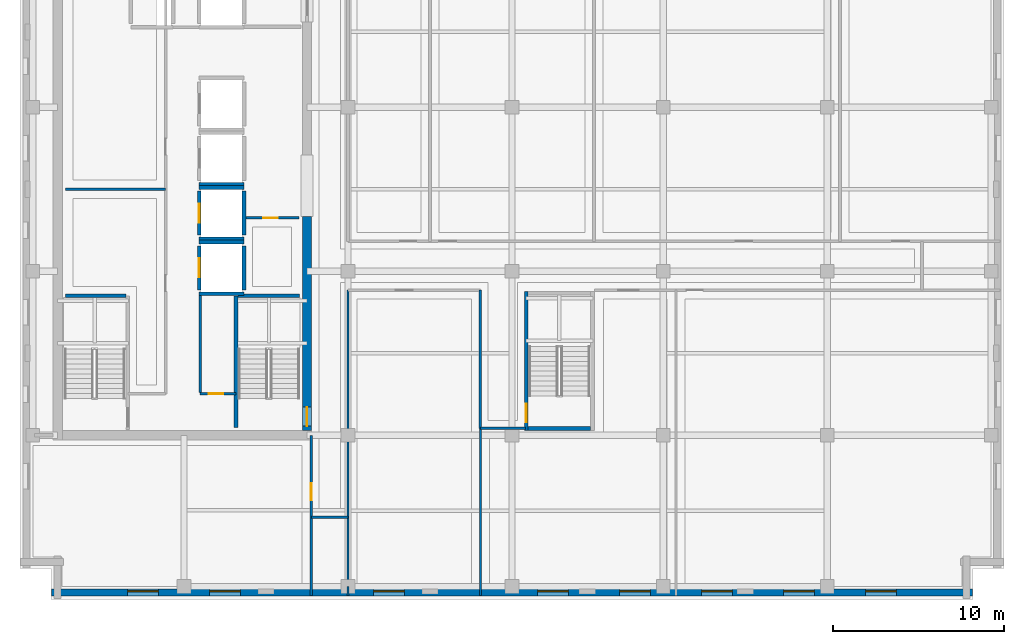
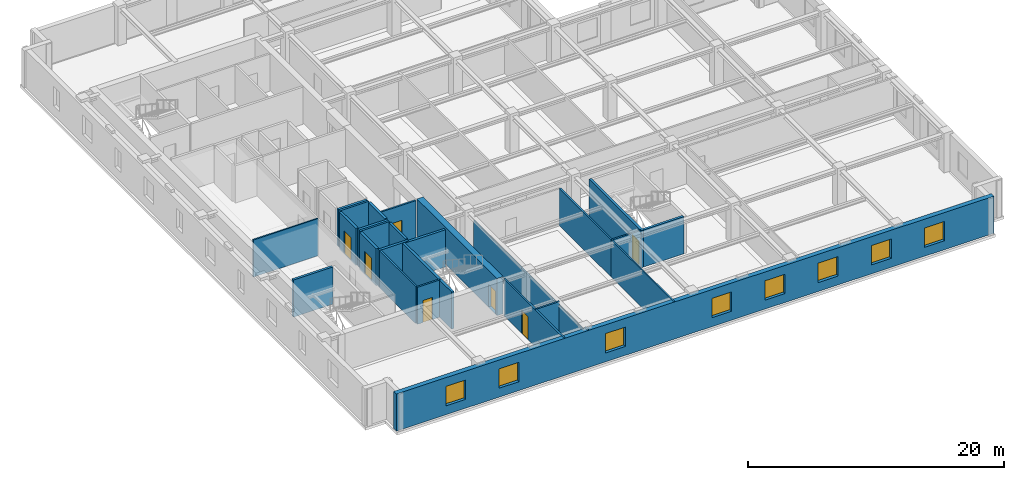
# One storey, part 3 of 10: 27 walls, 8 windows, 7 doors, 15 openings.
"""IFC4 building model written with IfcOpenShell, lengths in metres."""

from ifc_helpers import new_model, si_unit, direction, frame, frame_2d, origin, place, context, subcontext, project, spatial, rectangle, extrude, material, layer, layer_set, type_object, element, fill, save


model = new_model("IFC4")

# Units and contexts
model_context = context("Model", 3, precision=1e-05, world=origin(), true_north=direction((0.0, 1.0)))
body_context = subcontext(model_context, "Body", "Model", "MODEL_VIEW")
ifc_project = project(units=[si_unit("LENGTHUNIT", "METRE"), si_unit("AREAUNIT", "SQUARE_METRE"), si_unit("VOLUMEUNIT", "CUBIC_METRE"), si_unit("PLANEANGLEUNIT", "RADIAN"), si_unit("MASSUNIT", "GRAM", prefix="KILO")], contexts=[model_context])

# Site, building, storey
site_placement = place(None, origin())
site = spatial("IfcSite", under=ifc_project, at=site_placement, CompositionType="ELEMENT")
building_placement = place(site_placement, origin())
building = spatial("IfcBuilding", under=site, at=building_placement, Name="Norrvale University Quadrangle", CompositionType="ELEMENT")
storey_placement = place(building_placement, frame((0.0, 0.0, 229.39990234375)))
storey = spatial("IfcBuildingStorey", under=building, at=storey_placement, Name="L58", CompositionType="ELEMENT", Elevation=229.39990234375)

# Wall, openings, windows
ifc_material_1 = material(Name="Buff Norman Clay Brick Masonry", Category="masonry")
ifc_layer_1 = layer(ifc_material_1, 0.419921875, Name="Buff Norman Clay Brick Masonry")
ifc_layer_set_1 = layer_set([ifc_layer_1], Name="Buff Norman Clay Brick Masonry")
wall_type_1 = type_object("IfcWallType", Name="Wall Buff Brick 420", PredefinedType="SOLIDWALL", material=ifc_layer_set_1)
wall_1_placement = place(storey_placement, frame((1.840087890625, 0.389892578125, 0.0), z_axis=(0.0, 0.0, 1.0), x_axis=(1.0, 0.0, 0.0)))
wall_1 = element("IfcWall", 1, at=wall_1_placement, inside=storey, type_object=wall_type_1, Name="Exterior Brick Facade Wall L58-01.1", PredefinedType="SOLIDWALL", context=body_context, shape_type="SweptSolid", body=[
    extrude(rectangle(XDim=53.919921875, YDim=0.419921875, at=frame_2d((26.9599609375, 0.0))), origin(), (0.0, 0.0, 1.0), 3.5400390625),
])
opening_1_placement = place(wall_1_placement, frame((4.4599609375, 0.0, 0.85009765625)))
opening_1 = element("IfcOpeningElement", 2, at=opening_1_placement, cuts=wall_1, Name="Opening W01", PredefinedType="OPENING", context=body_context, shape_type="SweptSolid", body=[
    extrude(rectangle(XDim=1.800048828125, YDim=1.85009765625, at=frame_2d((0.89990234375, 0.925048828125))), frame((0.0, 0.221923828125, 0.0), z_axis=(0.0, -1.0, 0.0), x_axis=(1.0, 0.0, 0.0)), (0.0, 0.0, 1.0), 0.44384765625),
])
opening_2_placement = place(wall_1_placement, frame((9.260009765625, 0.0, 0.85009765625)))
opening_2 = element("IfcOpeningElement", 3, at=opening_2_placement, cuts=wall_1, Name="Opening W01", PredefinedType="OPENING", context=body_context, shape_type="SweptSolid", body=[
    extrude(rectangle(XDim=1.800048828125, YDim=1.85009765625, at=frame_2d((0.89990234375, 0.925048828125))), frame((0.0, 0.221923828125, 0.0), z_axis=(0.0, -1.0, 0.0), x_axis=(1.0, 0.0, 0.0)), (0.0, 0.0, 1.0), 0.44384765625),
])
opening_3_placement = place(wall_1_placement, frame((18.860107421875, 0.0, 0.85009765625)))
opening_3 = element("IfcOpeningElement", 4, at=opening_3_placement, cuts=wall_1, Name="Opening W01", PredefinedType="OPENING", context=body_context, shape_type="SweptSolid", body=[
    extrude(rectangle(XDim=1.800048828125, YDim=1.85009765625, at=frame_2d((0.89990234375, 0.925048828125))), frame((0.0, 0.221923828125, 0.0), z_axis=(0.0, -1.0, 0.0), x_axis=(1.0, 0.0, 0.0)), (0.0, 0.0, 1.0), 0.44384765625),
])
opening_4_placement = place(wall_1_placement, frame((28.4599609375, 0.0, 0.85009765625)))
opening_4 = element("IfcOpeningElement", 5, at=opening_4_placement, cuts=wall_1, Name="Opening W01", PredefinedType="OPENING", context=body_context, shape_type="SweptSolid", body=[
    extrude(rectangle(XDim=1.800048828125, YDim=1.85009765625, at=frame_2d((0.89990234375, 0.925048828125))), frame((0.0, 0.221923828125, 0.0), z_axis=(0.0, -1.0, 0.0), x_axis=(1.0, 0.0, 0.0)), (0.0, 0.0, 1.0), 0.44384765625),
])
opening_5_placement = place(wall_1_placement, frame((33.260009765625, 0.0, 0.85009765625)))
opening_5 = element("IfcOpeningElement", 6, at=opening_5_placement, cuts=wall_1, Name="Opening W01", PredefinedType="OPENING", context=body_context, shape_type="SweptSolid", body=[
    extrude(rectangle(XDim=1.800048828125, YDim=1.85009765625, at=frame_2d((0.89990234375, 0.925048828125))), frame((0.0, 0.221923828125, 0.0), z_axis=(0.0, -1.0, 0.0), x_axis=(1.0, 0.0, 0.0)), (0.0, 0.0, 1.0), 0.44384765625),
])
opening_6_placement = place(wall_1_placement, frame((38.06005859375, 0.0, 0.85009765625)))
opening_6 = element("IfcOpeningElement", 7, at=opening_6_placement, cuts=wall_1, Name="Opening W01", PredefinedType="OPENING", context=body_context, shape_type="SweptSolid", body=[
    extrude(rectangle(XDim=1.800048828125, YDim=1.85009765625, at=frame_2d((0.89990234375, 0.925048828125))), frame((0.0, 0.221923828125, 0.0), z_axis=(0.0, -1.0, 0.0), x_axis=(1.0, 0.0, 0.0)), (0.0, 0.0, 1.0), 0.44384765625),
])
opening_7_placement = place(wall_1_placement, frame((42.860107421875, 0.0, 0.85009765625)))
opening_7 = element("IfcOpeningElement", 8, at=opening_7_placement, cuts=wall_1, Name="Opening W01", PredefinedType="OPENING", context=body_context, shape_type="SweptSolid", body=[
    extrude(rectangle(XDim=1.800048828125, YDim=1.85009765625, at=frame_2d((0.89990234375, 0.925048828125))), frame((0.0, 0.221923828125, 0.0), z_axis=(0.0, -1.0, 0.0), x_axis=(1.0, 0.0, 0.0)), (0.0, 0.0, 1.0), 0.44384765625),
])
opening_8_placement = place(wall_1_placement, frame((47.659912109375, 0.0, 0.85009765625)))
opening_8 = element("IfcOpeningElement", 9, at=opening_8_placement, cuts=wall_1, Name="Opening W01", PredefinedType="OPENING", context=body_context, shape_type="SweptSolid", body=[
    extrude(rectangle(XDim=1.800048828125, YDim=1.85009765625, at=frame_2d((0.89990234375, 0.925048828125))), frame((0.0, 0.221923828125, 0.0), z_axis=(0.0, -1.0, 0.0), x_axis=(1.0, 0.0, 0.0)), (0.0, 0.0, 1.0), 0.44384765625),
])
ifc_material_2 = material(Name="Triple Low-E Argon Glazing", Category="glass")
window_type = type_object("IfcWindowType", Name="Window Academic 1800x2300", PartitioningType="DOUBLE_PANEL_VERTICAL", PredefinedType="WINDOW", material=ifc_material_2)
window_1_placement = place(opening_1_placement, origin())
window_1 = element("IfcWindow", 10, at=window_1_placement, inside=storey, type_object=window_type, Name="Window Academic 1800x2300 WIN-L58-E01-1-01", OverallHeight=1.85009765625, OverallWidth=1.800048828125, PartitioningType="DOUBLE_PANEL_VERTICAL", PredefinedType="WINDOW", context=body_context, shape_type="SweptSolid", body=[
    extrude(rectangle(XDim=1.800048828125, YDim=1.85009765625, at=frame_2d((0.89990234375, 0.925048828125))), frame((0.0, 0.110107421875, 0.0), z_axis=(0.0, -1.0, 0.0), x_axis=(1.0, 0.0, 0.0)), (0.0, 0.0, 1.0), 0.06005859375),
])
fill(opening_1, window_1)
window_2_placement = place(opening_2_placement, origin())
window_2 = element("IfcWindow", 11, at=window_2_placement, inside=storey, type_object=window_type, Name="Window Academic 1800x2300 WIN-L58-E01-1-02", OverallHeight=1.85009765625, OverallWidth=1.800048828125, PartitioningType="DOUBLE_PANEL_VERTICAL", PredefinedType="WINDOW", context=body_context, shape_type="SweptSolid", body=[
    extrude(rectangle(XDim=1.800048828125, YDim=1.85009765625, at=frame_2d((0.89990234375, 0.925048828125))), frame((0.0, 0.110107421875, 0.0), z_axis=(0.0, -1.0, 0.0), x_axis=(1.0, 0.0, 0.0)), (0.0, 0.0, 1.0), 0.06005859375),
])
fill(opening_2, window_2)
window_3_placement = place(opening_3_placement, origin())
window_3 = element("IfcWindow", 12, at=window_3_placement, inside=storey, type_object=window_type, Name="Window Academic 1800x2300 WIN-L58-E01-1-03", OverallHeight=1.85009765625, OverallWidth=1.800048828125, PartitioningType="DOUBLE_PANEL_VERTICAL", PredefinedType="WINDOW", context=body_context, shape_type="SweptSolid", body=[
    extrude(rectangle(XDim=1.800048828125, YDim=1.85009765625, at=frame_2d((0.89990234375, 0.925048828125))), frame((0.0, 0.110107421875, 0.0), z_axis=(0.0, -1.0, 0.0), x_axis=(1.0, 0.0, 0.0)), (0.0, 0.0, 1.0), 0.06005859375),
])
fill(opening_3, window_3)
window_4_placement = place(opening_4_placement, origin())
window_4 = element("IfcWindow", 13, at=window_4_placement, inside=storey, type_object=window_type, Name="Window Academic 1800x2300 WIN-L58-E01-1-04", OverallHeight=1.85009765625, OverallWidth=1.800048828125, PartitioningType="DOUBLE_PANEL_VERTICAL", PredefinedType="WINDOW", context=body_context, shape_type="SweptSolid", body=[
    extrude(rectangle(XDim=1.800048828125, YDim=1.85009765625, at=frame_2d((0.89990234375, 0.925048828125))), frame((0.0, 0.110107421875, 0.0), z_axis=(0.0, -1.0, 0.0), x_axis=(1.0, 0.0, 0.0)), (0.0, 0.0, 1.0), 0.06005859375),
])
fill(opening_4, window_4)
window_5_placement = place(opening_5_placement, origin())
window_5 = element("IfcWindow", 14, at=window_5_placement, inside=storey, type_object=window_type, Name="Window Academic 1800x2300 WIN-L58-E01-1-05", OverallHeight=1.85009765625, OverallWidth=1.800048828125, PartitioningType="DOUBLE_PANEL_VERTICAL", PredefinedType="WINDOW", context=body_context, shape_type="SweptSolid", body=[
    extrude(rectangle(XDim=1.800048828125, YDim=1.85009765625, at=frame_2d((0.89990234375, 0.925048828125))), frame((0.0, 0.110107421875, 0.0), z_axis=(0.0, -1.0, 0.0), x_axis=(1.0, 0.0, 0.0)), (0.0, 0.0, 1.0), 0.06005859375),
])
fill(opening_5, window_5)
window_6_placement = place(opening_6_placement, origin())
window_6 = element("IfcWindow", 15, at=window_6_placement, inside=storey, type_object=window_type, Name="Window Academic 1800x2300 WIN-L58-E01-1-06", OverallHeight=1.85009765625, OverallWidth=1.800048828125, PartitioningType="DOUBLE_PANEL_VERTICAL", PredefinedType="WINDOW", context=body_context, shape_type="SweptSolid", body=[
    extrude(rectangle(XDim=1.800048828125, YDim=1.85009765625, at=frame_2d((0.89990234375, 0.925048828125))), frame((0.0, 0.110107421875, 0.0), z_axis=(0.0, -1.0, 0.0), x_axis=(1.0, 0.0, 0.0)), (0.0, 0.0, 1.0), 0.06005859375),
])
fill(opening_6, window_6)
window_7_placement = place(opening_7_placement, origin())
window_7 = element("IfcWindow", 16, at=window_7_placement, inside=storey, type_object=window_type, Name="Window Academic 1800x2300 WIN-L58-E01-1-07", OverallHeight=1.85009765625, OverallWidth=1.800048828125, PartitioningType="DOUBLE_PANEL_VERTICAL", PredefinedType="WINDOW", context=body_context, shape_type="SweptSolid", body=[
    extrude(rectangle(XDim=1.800048828125, YDim=1.85009765625, at=frame_2d((0.89990234375, 0.925048828125))), frame((0.0, 0.110107421875, 0.0), z_axis=(0.0, -1.0, 0.0), x_axis=(1.0, 0.0, 0.0)), (0.0, 0.0, 1.0), 0.06005859375),
])
fill(opening_7, window_7)
window_8_placement = place(opening_8_placement, origin())
window_8 = element("IfcWindow", 17, at=window_8_placement, inside=storey, type_object=window_type, Name="Window Academic 1800x2300 WIN-L58-E01-1-08", OverallHeight=1.85009765625, OverallWidth=1.800048828125, PartitioningType="DOUBLE_PANEL_VERTICAL", PredefinedType="WINDOW", context=body_context, shape_type="SweptSolid", body=[
    extrude(rectangle(XDim=1.800048828125, YDim=1.85009765625, at=frame_2d((0.89990234375, 0.925048828125))), frame((0.0, 0.110107421875, 0.0), z_axis=(0.0, -1.0, 0.0), x_axis=(1.0, 0.0, 0.0)), (0.0, 0.0, 1.0), 0.06005859375),
])
fill(opening_8, window_8)

# Wall, opening, door
ifc_material_3 = material(Name="Concrete C60/75", Category="concrete")
ifc_layer_2 = layer(ifc_material_3, 0.550048828125, Name="Concrete C60/75")
ifc_layer_set_2 = layer_set([ifc_layer_2], Name="Concrete C60/75")
wall_type_2 = type_object("IfcWallType", Name="Wall Core 550", PredefinedType="SHEAR", material=ifc_layer_set_2)
wall_2_placement = place(storey_placement, frame((16.800048828125, 9.875, 0.0), z_axis=(0.0, 0.0, 1.0), x_axis=(0.0, 1.0, 0.0)))
wall_2 = element("IfcWall", 18, at=wall_2_placement, inside=storey, type_object=wall_type_2, Name="Tower Core Shear Wall L58-E1", PredefinedType="SHEAR", context=body_context, shape_type="SweptSolid", body=[
    extrude(rectangle(XDim=12.52490234375, YDim=0.550048828125, at=frame_2d((6.262451171875, 0.0))), origin(), (0.0, 0.0, 1.0), 3.5400390625),
])
opening_9_placement = place(wall_2_placement, frame((0.264892578125, 0.0, 0.0)))
opening_9 = element("IfcOpeningElement", 19, at=opening_9_placement, cuts=wall_2, Name="Opening D02", PredefinedType="OPENING", context=body_context, shape_type="SweptSolid", body=[
    extrude(rectangle(XDim=1.10009765625, YDim=2.199951171875, at=frame_2d((0.550048828125, 1.10009765625))), frame((0.0, 0.287109375, 0.0), z_axis=(0.0, -1.0, 0.0), x_axis=(1.0, 0.0, 0.0)), (0.0, 0.0, 1.0), 0.573974609375),
])
ifc_material_4 = material(Name="Hollow Steel 350W Fire Door", Category="steel")
door_type_1 = type_object("IfcDoorType", Name="Door Stair Exit 1100x2200", OperationType="NOTDEFINED", PredefinedType="DOOR", material=ifc_material_4)
door_1_placement = place(opening_9_placement, origin())
door_1 = element("IfcDoor", 20, at=door_1_placement, inside=storey, type_object=door_type_1, Name="Door Stair Exit 1100x2200 DR-L58-ST03", OperationType="SINGLE_SWING_LEFT", OverallHeight=2.199951171875, OverallWidth=1.10009765625, PredefinedType="DOOR", context=body_context, shape_type="SweptSolid", body=[
    extrude(rectangle(XDim=1.10009765625, YDim=2.199951171875, at=frame_2d((0.550048828125, 1.10009765625))), frame((0.0, 0.02490234375, 0.0), z_axis=(0.0, -1.0, 0.0), x_axis=(1.0, 0.0, 0.0)), (0.0, 0.0, 1.0), 0.050048828125),
])
fill(opening_9, door_1)

# Walls
ifc_material_5 = material(Name="Standard Academic Gypsum Partition")
ifc_layer_3 = layer(ifc_material_5, 0.125, Name="Standard Academic Gypsum Partition")
ifc_layer_set_3 = layer_set([ifc_layer_3], Name="Standard Academic Gypsum Partition")
wall_type_3 = type_object("IfcWallType", Name="Wall Gypsum Academic 125", PredefinedType="PARTITIONING", material=ifc_layer_set_3)
wall_3_placement = place(storey_placement, frame((2.64990234375, 24.0, 0.0), z_axis=(0.0, 0.0, 1.0), x_axis=(1.0, 0.0, 0.0)))
element("IfcWall", 21, at=wall_3_placement, inside=storey, type_object=wall_type_3, Name="Interior Partition WL-L58-REC-M", PredefinedType="PARTITIONING", context=body_context, shape_type="SweptSolid", body=[
    extrude(rectangle(XDim=5.8701171875, YDim=0.125, at=frame_2d((2.93505859375, 0.0))), origin(), (0.0, 0.0, 1.0), 3.5400390625),
])
wall_4_placement = place(storey_placement, frame((19.199951171875, 0.219970703125, 0.0), z_axis=(0.0, 0.0, 1.0), x_axis=(0.0, 1.0, 0.0)))
element("IfcWall", 22, at=wall_4_placement, inside=storey, type_object=wall_type_3, Name="Interior Partition WL-L58-SE-W0", PredefinedType="PARTITIONING", context=body_context, shape_type="SweptSolid", body=[
    extrude(rectangle(XDim=0.530029296875, YDim=0.125, at=frame_2d((0.26513671875, 0.0))), origin(), (0.0, 0.0, 1.0), 3.5400390625),
])
wall_5_placement = place(storey_placement, frame((19.199951171875, 0.75, 0.0), z_axis=(0.0, 0.0, 1.0), x_axis=(0.0, 1.0, 0.0)))
element("IfcWall", 23, at=wall_5_placement, inside=storey, type_object=wall_type_3, Name="Interior Partition WL-L58-SE-W0-B2", PredefinedType="PARTITIONING", context=body_context, shape_type="SweptSolid", body=[
    extrude(rectangle(XDim=17.35009765625, YDim=0.125, at=frame_2d((8.675048828125, 0.0))), origin(), (0.0, 0.0, 1.0), 3.18408203125),
])
wall_6_placement = place(storey_placement, frame((26.949951171875, 0.219970703125, 0.0), z_axis=(0.0, 0.0, 1.0), x_axis=(0.0, 1.0, 0.0)))
element("IfcWall", 24, at=wall_6_placement, inside=storey, type_object=wall_type_3, Name="Interior Partition WL-L58-SEP1A", PredefinedType="PARTITIONING", context=body_context, shape_type="SweptSolid", body=[
    extrude(rectangle(XDim=9.780029296875, YDim=0.125, at=frame_2d((4.89013671875, 0.0))), origin(), (0.0, 0.0, 1.0), 3.5400390625),
])

# Wall, opening, door
ifc_material_6 = material(Name="Fire-Rated Gypsum Stud Partition")
ifc_layer_4 = layer(ifc_material_6, 0.14990234375, Name="Fire-Rated Gypsum Stud Partition")
ifc_layer_set_4 = layer_set([ifc_layer_4], Name="Fire-Rated Gypsum Stud Partition")
wall_type_4 = type_object("IfcWallType", Name="Wall Gypsum Corridor 150", PredefinedType="PARTITIONING", material=ifc_layer_set_4)
wall_7_placement = place(storey_placement, frame((10.550048828125, 12.02001953125, 0.0), z_axis=(0.0, 0.0, 1.0), x_axis=(1.0, 0.0, 0.0)))
wall_7 = element("IfcWall", 25, at=wall_7_placement, inside=storey, type_object=wall_type_4, Name="Interior Partition WL-L58-SC-NR", PredefinedType="PARTITIONING", context=body_context, shape_type="SweptSolid", body=[
    extrude(rectangle(XDim=2.079833984375, YDim=0.14990234375, at=frame_2d((1.0400390625, 0.0))), origin(), (0.0, 0.0, 1.0), 3.5400390625),
])
opening_10_placement = place(wall_7_placement, frame((0.5, 0.0, 0.0)))
opening_10 = element("IfcOpeningElement", 26, at=opening_10_placement, cuts=wall_7, Name="Opening D10", PredefinedType="OPENING", context=body_context, shape_type="SweptSolid", body=[
    extrude(rectangle(XDim=0.85009765625, YDim=2.10009765625, at=frame_2d((0.425048828125, 1.050048828125))), frame((0.0, 0.0869140625, 0.0), z_axis=(0.0, -1.0, 0.0), x_axis=(1.0, 0.0, 0.0)), (0.0, 0.0, 1.0), 0.173828125),
])
ifc_material_7 = material(Name="Hollow Steel 350W Riser Fire Door", Category="steel")
door_type_2 = type_object("IfcDoorType", Name="Door Riser 850x2100", OperationType="NOTDEFINED", PredefinedType="DOOR", material=ifc_material_7)
door_2_placement = place(opening_10_placement, origin())
door_2 = element("IfcDoor", 27, at=door_2_placement, inside=storey, type_object=door_type_2, Name="Door Riser 850x2100 DR-L58-IDF", OperationType="SINGLE_SWING_RIGHT", OverallHeight=2.10009765625, OverallWidth=0.85009765625, PredefinedType="DOOR", context=body_context, shape_type="SweptSolid", body=[
    extrude(rectangle(XDim=0.85009765625, YDim=2.10009765625, at=frame_2d((0.425048828125, 1.050048828125))), frame((0.0, 0.02490234375, 0.0), z_axis=(0.0, -1.0, 0.0), x_axis=(1.0, 0.0, 0.0)), (0.0, 0.0, 1.0), 0.050048828125),
])
fill(opening_10, door_2)

# Wall
wall_8_placement = place(storey_placement, frame((10.550048828125, 12.094970703125, 0.0), z_axis=(0.0, 0.0, 1.0), x_axis=(0.0, 1.0, 0.0)))
element("IfcWall", 28, at=wall_8_placement, inside=storey, type_object=wall_type_4, Name="Interior Partition WL-L58-SC-WR", PredefinedType="PARTITIONING", context=body_context, shape_type="SweptSolid", body=[
    extrude(rectangle(XDim=5.679931640625, YDim=0.14990234375, at=frame_2d((2.83984375, 0.0))), origin(), (0.0, 0.0, 1.0), 3.5400390625),
])

# Wall, opening, door
wall_9_placement = place(storey_placement, frame((13.22509765625, 22.320068359375, 0.0), z_axis=(0.0, 0.0, 1.0), x_axis=(1.0, 0.0, 0.0)))
wall_9 = element("IfcWall", 29, at=wall_9_placement, inside=storey, type_object=wall_type_4, Name="Interior Partition WL-L58-JAN-N", PredefinedType="PARTITIONING", context=body_context, shape_type="SweptSolid", body=[
    extrude(rectangle(XDim=3.119873046875, YDim=0.14990234375, at=frame_2d((1.56005859375, 0.0))), origin(), (0.0, 0.0, 1.0), 3.5400390625),
])
opening_11_placement = place(wall_9_placement, frame((1.0, 0.0, 0.0)))
opening_11 = element("IfcOpeningElement", 30, at=opening_11_placement, cuts=wall_9, Name="Opening D10", PredefinedType="OPENING", context=body_context, shape_type="SweptSolid", body=[
    extrude(rectangle(XDim=0.85009765625, YDim=2.10009765625, at=frame_2d((0.425048828125, 1.050048828125))), frame((0.0, 0.0869140625, 0.0), z_axis=(0.0, -1.0, 0.0), x_axis=(1.0, 0.0, 0.0)), (0.0, 0.0, 1.0), 0.173828125),
])
door_3_placement = place(opening_11_placement, origin())
door_3 = element("IfcDoor", 31, at=door_3_placement, inside=storey, type_object=door_type_2, Name="Door Riser 850x2100 DR-L58-JAN", OperationType="SINGLE_SWING_LEFT", OverallHeight=2.10009765625, OverallWidth=0.85009765625, PredefinedType="DOOR", context=body_context, shape_type="SweptSolid", body=[
    extrude(rectangle(XDim=0.85009765625, YDim=2.10009765625, at=frame_2d((0.425048828125, 1.050048828125))), frame((0.0, 0.02490234375, 0.0), z_axis=(0.0, -1.0, 0.0), x_axis=(1.0, 0.0, 0.0)), (0.0, 0.0, 1.0), 0.050048828125),
])
fill(opening_11, door_3)

# Wall
wall_10_placement = place(storey_placement, frame((17.050048828125, 4.800048828125, 0.0), z_axis=(0.0, 0.0, 1.0), x_axis=(1.0, 0.0, 0.0)))
element("IfcWall", 32, at=wall_10_placement, inside=storey, type_object=wall_type_4, Name="Interior Partition WL-L58-CSP-S", PredefinedType="PARTITIONING", context=body_context, shape_type="SweptSolid", body=[
    extrude(rectangle(XDim=2.14990234375, YDim=0.14990234375, at=frame_2d((1.074951171875, 0.0))), origin(), (0.0, 0.0, 1.0), 3.5400390625),
])

# Wall, opening, door
wall_11_placement = place(storey_placement, frame((17.050048828125, 0.219970703125, 0.0), z_axis=(0.0, 0.0, 1.0), x_axis=(0.0, 1.0, 0.0)))
wall_11 = element("IfcWall", 33, at=wall_11_placement, inside=storey, type_object=wall_type_4, Name="Interior Partition WL-L58-SW-E", PredefinedType="PARTITIONING", context=body_context, shape_type="SweptSolid", body=[
    extrude(rectangle(XDim=9.380126953125, YDim=0.14990234375, at=frame_2d((4.68994140625, 0.0))), origin(), (0.0, 0.0, 1.0), 3.5400390625),
])
opening_12_placement = place(wall_11_placement, frame((5.580078125, 0.0, 0.0)))
opening_12 = element("IfcOpeningElement", 34, at=opening_12_placement, cuts=wall_11, Name="Opening D04", PredefinedType="OPENING", context=body_context, shape_type="SweptSolid", body=[
    extrude(rectangle(XDim=1.0, YDim=2.199951171875, at=frame_2d((0.5, 1.10009765625))), frame((0.0, 0.0869140625, 0.0), z_axis=(0.0, -1.0, 0.0), x_axis=(1.0, 0.0, 0.0)), (0.0, 0.0, 1.0), 0.173828125),
])
ifc_material_8 = material(Name="Solid-Core Oak Fire Door", Category="wood")
door_type_3 = type_object("IfcDoorType", Name="Door Corridor 1000x2200", OperationType="NOTDEFINED", PredefinedType="DOOR", material=ifc_material_8)
door_4_placement = place(opening_12_placement, origin())
door_4 = element("IfcDoor", 35, at=door_4_placement, inside=storey, type_object=door_type_3, Name="Door Corridor 1000x2200 DR-L58-SW1", OperationType="SINGLE_SWING_LEFT", OverallHeight=2.199951171875, OverallWidth=1.0, PredefinedType="DOOR", context=body_context, shape_type="SweptSolid", body=[
    extrude(rectangle(XDim=1.0, YDim=2.199951171875, at=frame_2d((0.5, 1.10009765625))), frame((0.0, 0.02490234375, 0.0), z_axis=(0.0, -1.0, 0.0), x_axis=(1.0, 0.0, 0.0)), (0.0, 0.0, 1.0), 0.050048828125),
])
fill(opening_12, door_4)

# Walls
wall_12_placement = place(storey_placement, frame((26.949951171875, 10.0, 0.0), z_axis=(0.0, 0.0, 1.0), x_axis=(0.0, 1.0, 0.0)))
element("IfcWall", 36, at=wall_12_placement, inside=storey, type_object=wall_type_4, Name="Interior Partition WL-L58-SEP1B", PredefinedType="PARTITIONING", context=body_context, shape_type="SweptSolid", body=[
    extrude(rectangle(XDim=8.10009765625, YDim=0.14990234375, at=frame_2d((4.050048828125, 0.0))), origin(), (0.0, 0.0, 1.0), 3.5400390625),
])
wall_13_placement = place(storey_placement, frame((26.949951171875, 10.0, 0.0), z_axis=(0.0, 0.0, 1.0), x_axis=(1.0, 0.0, 0.0)))
element("IfcWall", 37, at=wall_13_placement, inside=storey, type_object=wall_type_4, Name="Interior Partition WL-L58-SEP1C", PredefinedType="PARTITIONING", context=body_context, shape_type="SweptSolid", body=[
    extrude(rectangle(XDim=2.630126953125, YDim=0.14990234375, at=frame_2d((1.31494140625, 0.0))), origin(), (0.0, 0.0, 1.0), 3.5400390625),
])
ifc_material_9 = material(Name="Concrete Blockwork 20 MPa Fire Shaft", Category="masonry")
ifc_layer_5 = layer(ifc_material_9, 0.219970703125, Name="Concrete Blockwork 20 MPa Fire Shaft")
ifc_layer_set_5 = layer_set([ifc_layer_5], Name="Concrete Blockwork 20 MPa Fire Shaft")
wall_type_5 = type_object("IfcWallType", Name="Wall Shaft 220", PredefinedType="SOLIDWALL", material=ifc_layer_set_5)
wall_14_placement = place(storey_placement, frame((2.64990234375, 17.760009765625, 0.0), z_axis=(0.0, 0.0, 1.0), x_axis=(1.0, 0.0, 0.0)))
element("IfcWall", 38, at=wall_14_placement, inside=storey, type_object=wall_type_5, Name="Stair ST-01 North Shaft Wall L58", PredefinedType="SOLIDWALL", context=body_context, shape_type="SweptSolid", body=[
    extrude(rectangle(XDim=3.550048828125, YDim=0.219970703125, at=frame_2d((1.77490234375, 0.0))), origin(), (0.0, 0.0, 1.0), 3.5400390625),
])
wall_15_placement = place(storey_placement, frame((12.639892578125, 10.050048828125, 0.0), z_axis=(0.0, 0.0, 1.0), x_axis=(0.0, 1.0, 0.0)))
element("IfcWall", 39, at=wall_15_placement, inside=storey, type_object=wall_type_5, Name="Stair ST-03 West Shaft Wall L58", PredefinedType="SOLIDWALL", context=body_context, shape_type="SweptSolid", body=[
    extrude(rectangle(XDim=7.7099609375, YDim=0.219970703125, at=frame_2d((3.85498046875, 0.0))), origin(), (0.0, 0.0, 1.0), 3.5400390625),
])
wall_16_placement = place(storey_placement, frame((12.75, 17.760009765625, 0.0), z_axis=(0.0, 0.0, 1.0), x_axis=(1.0, 0.0, 0.0)))
element("IfcWall", 40, at=wall_16_placement, inside=storey, type_object=wall_type_5, Name="Stair ST-03 North Shaft Wall L58", PredefinedType="SOLIDWALL", context=body_context, shape_type="SweptSolid", body=[
    extrude(rectangle(XDim=3.60009765625, YDim=0.219970703125, at=frame_2d((1.800048828125, 0.0))), origin(), (0.0, 0.0, 1.0), 3.5400390625),
])
wall_17_placement = place(storey_placement, frame((29.75, 9.989990234375, 0.0), z_axis=(0.0, 0.0, 1.0), x_axis=(1.0, 0.0, 0.0)))
element("IfcWall", 41, at=wall_17_placement, inside=storey, type_object=wall_type_5, Name="Stair ST-04 South Shaft Wall L58", PredefinedType="SOLIDWALL", context=body_context, shape_type="SweptSolid", body=[
    extrude(rectangle(XDim=3.64990234375, YDim=0.219970703125, at=frame_2d((1.824951171875, 0.0))), origin(), (0.0, 0.0, 1.0), 3.5400390625),
])

# Wall, opening, door
wall_18_placement = place(storey_placement, frame((29.639892578125, 9.8798828125, 0.0), z_axis=(0.0, 0.0, 1.0), x_axis=(0.0, 1.0, 0.0)))
wall_18 = element("IfcWall", 42, at=wall_18_placement, inside=storey, type_object=wall_type_5, Name="Stair ST-04 West Shaft Wall L58", PredefinedType="SOLIDWALL", context=body_context, shape_type="SweptSolid", body=[
    extrude(rectangle(XDim=8.14013671875, YDim=0.219970703125, at=frame_2d((4.070068359375, 0.0))), origin(), (0.0, 0.0, 1.0), 3.5400390625),
])
opening_13_placement = place(wall_18_placement, frame((0.469970703125, 0.0, 0.0)))
opening_13 = element("IfcOpeningElement", 43, at=opening_13_placement, cuts=wall_18, Name="Opening D02", PredefinedType="OPENING", context=body_context, shape_type="SweptSolid", body=[
    extrude(rectangle(XDim=1.10009765625, YDim=2.199951171875, at=frame_2d((0.550048828125, 1.10009765625))), frame((0.0, 0.1220703125, 0.0), z_axis=(0.0, -1.0, 0.0), x_axis=(1.0, 0.0, 0.0)), (0.0, 0.0, 1.0), 0.243896484375),
])
door_5_placement = place(opening_13_placement, frame((1.10009765625, 0.0, 0.0), z_axis=(0.0, 0.0, 1.0), x_axis=(-1.0, 0.0, 0.0)))
door_5 = element("IfcDoor", 44, at=door_5_placement, inside=storey, type_object=door_type_1, Name="Door Stair Exit 1100x2200 DR-L58-ST04", OperationType="SINGLE_SWING_RIGHT", OverallHeight=2.199951171875, OverallWidth=1.10009765625, PredefinedType="DOOR", context=body_context, shape_type="SweptSolid", body=[
    extrude(rectangle(XDim=1.10009765625, YDim=2.199951171875, at=frame_2d((0.550048828125, 1.10009765625))), frame((0.0, 0.02490234375, 0.0), z_axis=(0.0, -1.0, 0.0), x_axis=(1.0, 0.0, 0.0)), (0.0, 0.0, 1.0), 0.050048828125),
])
fill(opening_13, door_5)

wall_19_placement = place(storey_placement, frame((10.489990234375, 18.110107421875, 0.0), z_axis=(0.0, 0.0, 1.0), x_axis=(0.0, 1.0, 0.0)))
wall_19 = element("IfcWall", 45, at=wall_19_placement, inside=storey, type_object=wall_type_5, Name="Hoistway PL-05 West Wall L58", PredefinedType="SOLIDWALL", context=body_context, shape_type="SweptSolid", body=[
    extrude(rectangle(XDim=2.579833984375, YDim=0.219970703125, at=frame_2d((1.2900390625, 0.0))), origin(), (0.0, 0.0, 1.0), 3.5400390625),
])
opening_14_placement = place(wall_19_placement, frame((0.739990234375, 0.0, 0.0)))
opening_14 = element("IfcOpeningElement", 46, at=opening_14_placement, cuts=wall_19, Name="Opening LD1", PredefinedType="OPENING", context=body_context, shape_type="SweptSolid", body=[
    extrude(rectangle(XDim=1.10009765625, YDim=2.199951171875, at=frame_2d((0.550048828125, 1.10009765625))), frame((0.0, 0.1220703125, 0.0), z_axis=(0.0, -1.0, 0.0), x_axis=(1.0, 0.0, 0.0)), (0.0, 0.0, 1.0), 0.243896484375),
])
ifc_material_10 = material(Name="Stainless Steel 316L Lift Landing Door", Category="steel")
door_type_4 = type_object("IfcDoorType", Name="Door Lift Landing 1100x2200", OperationType="DOUBLE_DOOR_SLIDING", PredefinedType="DOOR", material=ifc_material_10)
door_6_placement = place(opening_14_placement, origin())
door_6 = element("IfcDoor", 47, at=door_6_placement, inside=storey, type_object=door_type_4, Name="Elevator Landing Door DR-L58-PL-05", OperationType="DOUBLE_DOOR_SLIDING", OverallHeight=2.199951171875, OverallWidth=1.10009765625, PredefinedType="DOOR", context=body_context, shape_type="SweptSolid", body=[
    extrude(rectangle(XDim=1.10009765625, YDim=2.199951171875, at=frame_2d((0.550048828125, 1.10009765625))), frame((0.0, 0.02490234375, 0.0), z_axis=(0.0, -1.0, 0.0), x_axis=(1.0, 0.0, 0.0)), (0.0, 0.0, 1.0), 0.050048828125),
])
fill(opening_14, door_6)

# Walls
wall_20_placement = place(storey_placement, frame((13.110107421875, 18.110107421875, 0.0), z_axis=(0.0, 0.0, 1.0), x_axis=(0.0, 1.0, 0.0)))
element("IfcWall", 48, at=wall_20_placement, inside=storey, type_object=wall_type_5, Name="Hoistway PL-05 East Wall L58", PredefinedType="SOLIDWALL", context=body_context, shape_type="SweptSolid", body=[
    extrude(rectangle(XDim=2.579833984375, YDim=0.219970703125, at=frame_2d((1.2900390625, 0.0))), origin(), (0.0, 0.0, 1.0), 3.5400390625),
])
for number, where, z_axis, x_axis, name in (
    (49, (10.489990234375, 17.889892578125, 0.0), (0.0, 0.0, 1.0), (1.0, 0.0, 0.0), "Hoistway PL-05 South Wall L58"),
    (50, (10.489990234375, 20.909912109375, 0.0), (0.0, 0.0, 1.0), (1.0, 0.0, 0.0), "Hoistway PL-05 North Wall L58"),
):
    element("IfcWall", number, at=place(storey_placement, frame(where, z_axis=z_axis, x_axis=x_axis)), inside=storey, type_object=wall_type_5, Name=name, PredefinedType="SOLIDWALL", context=body_context, shape_type="SweptSolid", body=[
        extrude(rectangle(XDim=2.6201171875, YDim=0.219970703125, at=frame_2d((1.31005859375, 0.0))), origin(), (0.0, 0.0, 1.0), 3.5400390625),
    ])

# Wall, opening, door
wall_21_placement = place(storey_placement, frame((10.489990234375, 21.31005859375, 0.0), z_axis=(0.0, 0.0, 1.0), x_axis=(0.0, 1.0, 0.0)))
wall_21 = element("IfcWall", 51, at=wall_21_placement, inside=storey, type_object=wall_type_5, Name="Hoistway PL-06 West Wall L58", PredefinedType="SOLIDWALL", context=body_context, shape_type="SweptSolid", body=[
    extrude(rectangle(XDim=2.579833984375, YDim=0.219970703125, at=frame_2d((1.2900390625, 0.0))), origin(), (0.0, 0.0, 1.0), 3.5400390625),
])
opening_15_placement = place(wall_21_placement, frame((0.739990234375, 0.0, 0.0)))
opening_15 = element("IfcOpeningElement", 52, at=opening_15_placement, cuts=wall_21, Name="Opening LD1", PredefinedType="OPENING", context=body_context, shape_type="SweptSolid", body=[
    extrude(rectangle(XDim=1.10009765625, YDim=2.199951171875, at=frame_2d((0.550048828125, 1.10009765625))), frame((0.0, 0.1220703125, 0.0), z_axis=(0.0, -1.0, 0.0), x_axis=(1.0, 0.0, 0.0)), (0.0, 0.0, 1.0), 0.243896484375),
])
door_7_placement = place(opening_15_placement, origin())
door_7 = element("IfcDoor", 53, at=door_7_placement, inside=storey, type_object=door_type_4, Name="Elevator Landing Door DR-L58-PL-06", OperationType="DOUBLE_DOOR_SLIDING", OverallHeight=2.199951171875, OverallWidth=1.10009765625, PredefinedType="DOOR", context=body_context, shape_type="SweptSolid", body=[
    extrude(rectangle(XDim=1.10009765625, YDim=2.199951171875, at=frame_2d((0.550048828125, 1.10009765625))), frame((0.0, 0.02490234375, 0.0), z_axis=(0.0, -1.0, 0.0), x_axis=(1.0, 0.0, 0.0)), (0.0, 0.0, 1.0), 0.050048828125),
])
fill(opening_15, door_7)

# Walls
wall_22_placement = place(storey_placement, frame((13.110107421875, 21.31005859375, 0.0), z_axis=(0.0, 0.0, 1.0), x_axis=(0.0, 1.0, 0.0)))
element("IfcWall", 54, at=wall_22_placement, inside=storey, type_object=wall_type_5, Name="Hoistway PL-06 East Wall L58", PredefinedType="SOLIDWALL", context=body_context, shape_type="SweptSolid", body=[
    extrude(rectangle(XDim=2.579833984375, YDim=0.219970703125, at=frame_2d((1.2900390625, 0.0))), origin(), (0.0, 0.0, 1.0), 3.5400390625),
])
for number, where, z_axis, x_axis, name in (
    (55, (10.489990234375, 21.090087890625, 0.0), (0.0, 0.0, 1.0), (1.0, 0.0, 0.0), "Hoistway PL-06 South Wall L58"),
    (56, (10.489990234375, 24.110107421875, 0.0), (0.0, 0.0, 1.0), (1.0, 0.0, 0.0), "Hoistway PL-06 North Wall L58"),
    (57, (10.489990234375, 24.2900390625, 0.0), (0.0, 0.0, 1.0), (1.0, 0.0, 0.0), "Hoistway PL-07 South Wall L58"),
):
    element("IfcWall", number, at=place(storey_placement, frame(where, z_axis=z_axis, x_axis=x_axis)), inside=storey, type_object=wall_type_5, Name=name, PredefinedType="SOLIDWALL", context=body_context, shape_type="SweptSolid", body=[
        extrude(rectangle(XDim=2.6201171875, YDim=0.219970703125, at=frame_2d((1.31005859375, 0.0))), origin(), (0.0, 0.0, 1.0), 3.5400390625),
    ])

save(model, "model.ifc")
